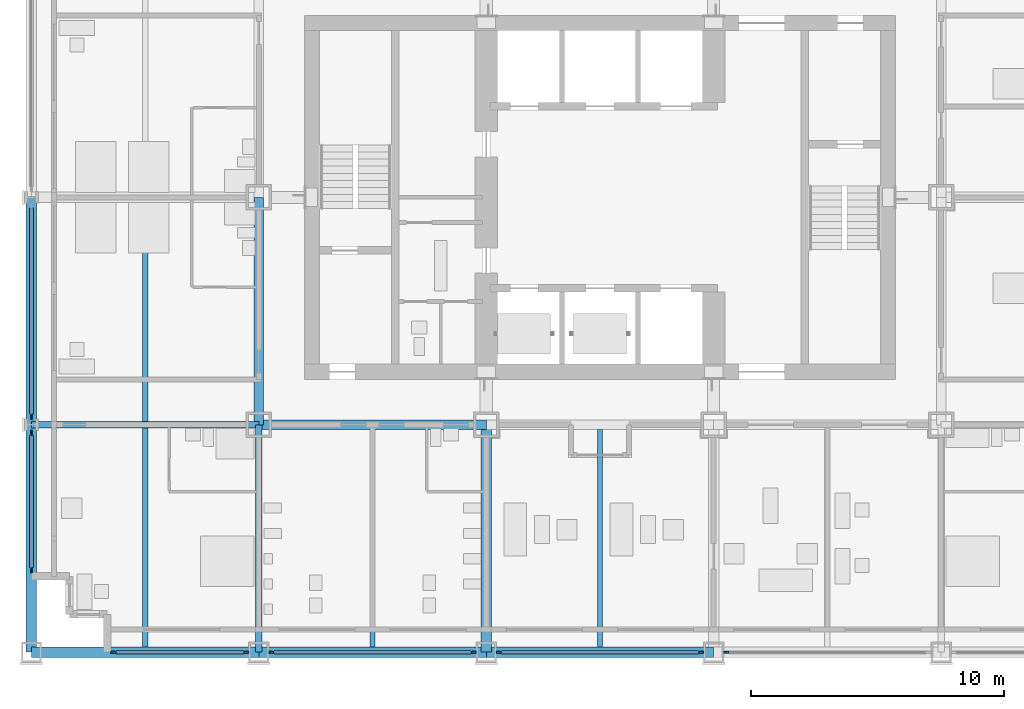
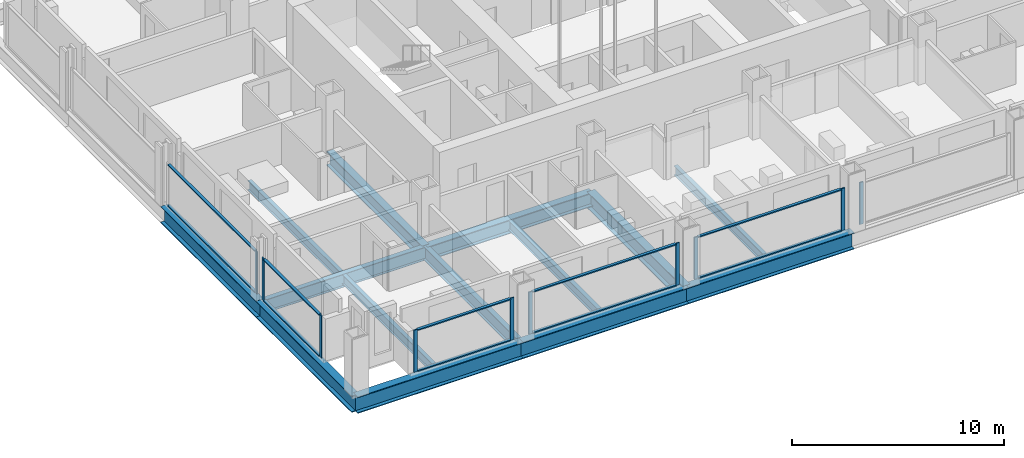
# One storey, part 2 of 19: 20 members, 14 beams, 6 elements without a shape of their own.
"""IFC4 building model written with IfcOpenShell, lengths in metres."""

from ifc_helpers import new_model, si_unit, direction, frame, origin, origin_2d, place, context, subcontext, project, spatial, rectangle, i_section, extrude, material, material_profile, profile_set, type_object, element, aggregate, save


model = new_model("IFC4")

# Units and contexts
model_context = context("Model", 3, precision=1e-05, world=origin(), true_north=direction((0.0, 1.0)))
body_context = subcontext(model_context, "Body", "Model", "MODEL_VIEW")
ifc_project = project(units=[si_unit("LENGTHUNIT", "METRE"), si_unit("AREAUNIT", "SQUARE_METRE"), si_unit("VOLUMEUNIT", "CUBIC_METRE"), si_unit("PLANEANGLEUNIT", "RADIAN"), si_unit("MASSUNIT", "GRAM", prefix="KILO")], contexts=[model_context])

# Site, building, storey
site_placement = place(None, origin())
site = spatial("IfcSite", under=ifc_project, at=site_placement, CompositionType="ELEMENT")
building_placement = place(site_placement, origin())
building = spatial("IfcBuilding", under=site, at=building_placement, Name="Loomwork Tower", CompositionType="ELEMENT")
storey_placement = place(building_placement, frame((0.0, 0.0, 94.199951171875)))
storey = spatial("IfcBuildingStorey", under=building, at=storey_placement, Name="L24", CompositionType="ELEMENT", Elevation=94.199951171875)

# Beams
ifc_material_1 = material(Name="Steel ASTM A992", Category="steel")
ifc_material_profile_1 = material_profile(ifc_material_1, i_section(OverallWidth=0.424072265625, OverallDepth=0.947509765625, WebThickness=0.02392578125, FlangeThickness=0.042724609375, at=origin_2d()), Name="W36x302")
ifc_profile_set_1 = profile_set([ifc_material_profile_1], Name="Steel ASTM A992")
beam_type_1 = type_object("IfcBeamType", Name="BELT CHORD SPANDREL W36x302", PredefinedType="SPANDREL", material=ifc_profile_set_1)
for number, where, z_axis, x_axis, name in (
    (1, (0.0, 0.0, -0.673583984375), (1.0, 0.0, 0.0), (0.0, 1.0, 0.0), "Belt Chord Spandrel D/2-D/3 L24"),
    (2, (9.0, 0.0, -0.673583984375), (1.0, 0.0, 0.0), (0.0, 1.0, 0.0), "Belt Chord Spandrel D/3-D/4 L24"),
    (3, (18.0, 0.0, -0.673583984375), (1.0, 0.0, 0.0), (0.0, 1.0, 0.0), "Belt Chord Spandrel D/4-D/5 L24"),
    (4, (0.0, 0.0, -0.673583984375), (0.0, 1.0, 0.0), (-1.0, 0.0, 0.0), "Belt Chord Spandrel D/2-E/2 L24"),
    (5, (0.0, 9.0, -0.673583984375), (0.0, 1.0, 0.0), (-1.0, 0.0, 0.0), "Belt Chord Spandrel E/2-F/2 L24"),
):
    element("IfcBeam", number, at=place(storey_placement, frame(where, z_axis=z_axis, x_axis=x_axis)), inside=storey, type_object=beam_type_1, Name=name, PredefinedType="SPANDREL", context=body_context, shape_type="SweptSolid", body=[
        extrude(i_section(OverallWidth=0.424072265625, OverallDepth=0.947509765625, WebThickness=0.02392578125, FlangeThickness=0.042724609375, at=origin_2d()), origin(), (0.0, 0.0, 1.0), 9.0),
    ])
ifc_material_2 = material(Name="Steel ASTM A992", Category="steel")
ifc_material_profile_2 = material_profile(ifc_material_2, i_section(OverallWidth=0.383544921875, OverallDepth=0.794921875, WebThickness=0.02099609375, FlangeThickness=0.0380859375, at=origin_2d()), Name="W30x235")
ifc_profile_set_2 = profile_set([ifc_material_profile_2], Name="Steel ASTM A992")
beam_type_2 = type_object("IfcBeamType", Name="CORE FLANK GIRDER W30x235", PredefinedType="BEAM", material=ifc_profile_set_2)
for number, where, z_axis, x_axis, name in (
    (6, (9.0, 9.0, -0.597412109375), (1.0, 0.0, 0.0), (0.0, 1.0, 0.0), "Core Flank Girder E/3-E/4 L24"),
    (7, (9.0, 9.0, -0.597412109375), (0.0, 1.0, 0.0), (-1.0, 0.0, 0.0), "Core Flank Girder E/3-F/3 L24"),
):
    element("IfcBeam", number, at=place(storey_placement, frame(where, z_axis=z_axis, x_axis=x_axis)), inside=storey, type_object=beam_type_2, Name=name, PredefinedType="BEAM", context=body_context, shape_type="SweptSolid", body=[
        extrude(i_section(OverallWidth=0.383544921875, OverallDepth=0.794921875, WebThickness=0.02099609375, FlangeThickness=0.0380859375, at=origin_2d()), origin(), (0.0, 0.0, 1.0), 9.0),
    ])
ifc_material_3 = material(Name="Steel ASTM A992", Category="steel")
ifc_material_profile_3 = material_profile(ifc_material_3, i_section(OverallWidth=0.2666015625, OverallDepth=0.761962890625, WebThickness=0.014404296875, FlangeThickness=0.021484375, at=origin_2d()), Name="W30x116")
ifc_profile_set_3 = profile_set([ifc_material_profile_3], Name="Steel ASTM A992")
beam_type_3 = type_object("IfcBeamType", Name="FLOOR GIRDER W30x116", PredefinedType="BEAM", material=ifc_profile_set_3)
for number, where, z_axis, x_axis, name in (
    (8, (0.0, 9.0, -0.5810546875), (1.0, 0.0, 0.0), (0.0, 1.0, 0.0), "Floor Girder E/2-E/3 L24"),
    (9, (9.0, 0.0, -0.5810546875), (0.0, 1.0, 0.0), (-1.0, 0.0, 0.0), "Floor Girder D/3-E/3 L24"),
):
    element("IfcBeam", number, at=place(storey_placement, frame(where, z_axis=z_axis, x_axis=x_axis)), inside=storey, type_object=beam_type_3, Name=name, PredefinedType="BEAM", context=body_context, shape_type="SweptSolid", body=[
        extrude(i_section(OverallWidth=0.2666015625, OverallDepth=0.761962890625, WebThickness=0.014404296875, FlangeThickness=0.021484375, at=origin_2d()), origin(), (0.0, 0.0, 1.0), 9.0),
    ])
ifc_material_4 = material(Name="Steel ASTM A992", Category="steel")
ifc_material_profile_4 = material_profile(ifc_material_4, i_section(OverallWidth=0.21240234375, OverallDepth=0.54345703125, WebThickness=0.01318359375, FlangeThickness=0.021240234375, at=origin_2d()), Name="W21x83")
ifc_profile_set_4 = profile_set([ifc_material_profile_4], Name="Steel ASTM A992")
beam_type_4 = type_object("IfcBeamType", Name="FLOOR JOIST W21x83", PredefinedType="JOIST", material=ifc_profile_set_4)
for number, where, z_axis, x_axis, name in (
    (10, (4.5, 0.2119140625, -0.4716796875), (0.0, 1.0, 0.0), (-1.0, 0.0, 0.0), "Floor Joist 4.500,0.000-4.500,9.000 L24"),
    (11, (4.5, 9.133056640625, -0.4716796875), (0.0, 1.0, 0.0), (-1.0, 0.0, 0.0), "Floor Joist 4.500,9.000-4.500,18.000 L24"),
):
    element("IfcBeam", number, at=place(storey_placement, frame(where, z_axis=z_axis, x_axis=x_axis)), inside=storey, type_object=beam_type_4, Name=name, PredefinedType="JOIST", context=body_context, shape_type="SweptSolid", body=[
        extrude(i_section(OverallWidth=0.21240234375, OverallDepth=0.54345703125, WebThickness=0.01318359375, FlangeThickness=0.021240234375, at=origin_2d()), origin(), (0.0, 0.0, 1.0), 8.655029296875),
    ])
for number, where, z_axis, x_axis, name in (
    (12, (13.5, 0.2119140625, -0.4716796875), (0.0, 1.0, 0.0), (-1.0, 0.0, 0.0), "Floor Joist 13.500,0.000-13.500,9.000 L24"),
    (13, (22.5, 0.2119140625, -0.4716796875), (0.0, 1.0, 0.0), (-1.0, 0.0, 0.0), "Floor Joist 22.500,0.000-22.500,9.000 L24"),
):
    element("IfcBeam", number, at=place(storey_placement, frame(where, z_axis=z_axis, x_axis=x_axis)), inside=storey, type_object=beam_type_4, Name=name, PredefinedType="JOIST", context=body_context, shape_type="SweptSolid", body=[
        extrude(i_section(OverallWidth=0.21240234375, OverallDepth=0.54345703125, WebThickness=0.01318359375, FlangeThickness=0.021240234375, at=origin_2d()), origin(), (0.0, 0.0, 1.0), 8.59716796875),
    ])
ifc_material_5 = material(Name="Steel ASTM A992", Category="steel")
ifc_material_profile_5 = material_profile(ifc_material_5, i_section(OverallWidth=0.424072265625, OverallDepth=0.947509765625, WebThickness=0.02392578125, FlangeThickness=0.042724609375, at=origin_2d()), Name="W36x302")
ifc_profile_set_5 = profile_set([ifc_material_profile_5], Name="Steel ASTM A992")
beam_type_5 = type_object("IfcBeamType", Name="OUTRIGGER GIRDER W36x302", PredefinedType="BEAM", material=ifc_profile_set_5)
beam_placement = place(storey_placement, frame((18.0, 0.0, -0.673583984375), z_axis=(0.0, 1.0, 0.0), x_axis=(-1.0, 0.0, 0.0)))
element("IfcBeam", 14, at=beam_placement, inside=storey, type_object=beam_type_5, Name="Outrigger Girder D/4-E/4 L24", PredefinedType="BEAM", context=body_context, shape_type="SweptSolid", body=[
    extrude(i_section(OverallWidth=0.424072265625, OverallDepth=0.947509765625, WebThickness=0.02392578125, FlangeThickness=0.042724609375, at=origin_2d()), origin(), (0.0, 0.0, 1.0), 9.0),
])

# Curtain wall, members
ifc_material_6 = material(Name="Aluminium curtain wall frame", Category="aluminium")
curtain_wall_type = type_object("IfcCurtainWallType", Name="Outer skin glazing hotel", PredefinedType="NOTDEFINED", material=ifc_material_6)
curtain_wall_1_placement = place(storey_placement, origin())
curtain_wall_1 = element("IfcCurtainWall", 15, at=curtain_wall_1_placement, inside=storey, type_object=curtain_wall_type, Name="Outer skin glazing hotel cw/S-0", PredefinedType="NOTDEFINED")
ifc_material_7 = material(Name="Aluminium curtain wall frame", Category="aluminium")
ifc_material_profile_6 = material_profile(ifc_material_7, rectangle(XDim=0.06494140625, YDim=0.199951171875, at=origin_2d()), Name="AL 65x200")
ifc_profile_set_6 = profile_set([ifc_material_profile_6], Name="Aluminium curtain wall frame")
member_type_1 = type_object("IfcMemberType", Name="Outer skin glazing hotel mullion", PredefinedType="MULLION", material=ifc_profile_set_6)
member_1_placement = place(storey_placement, frame((3.25, 0.0, 0.0), z_axis=(0.0, 0.0, 1.0), x_axis=(0.0, 1.0, 0.0)))
member_1 = element("IfcMember", 16, at=member_1_placement, type_object=member_type_1, Name="CW1 mullion 1", PredefinedType="MULLION", context=body_context, shape_type="SweptSolid", body=[
    extrude(rectangle(XDim=0.06494140625, YDim=0.199951171875, at=origin_2d()), origin(), (0.0, 0.0, 1.0), 2.420166015625),
])
member_2_placement = place(storey_placement, frame((8.5, 0.0, 0.0), z_axis=(0.0, 0.0, 1.0), x_axis=(0.0, 1.0, 0.0)))
member_2 = element("IfcMember", 17, at=member_2_placement, type_object=member_type_1, Name="CW1 mullion 2", PredefinedType="MULLION", context=body_context, shape_type="SweptSolid", body=[
    extrude(rectangle(XDim=0.06494140625, YDim=0.199951171875, at=origin_2d()), origin(), (0.0, 0.0, 1.0), 2.420166015625),
])

curtain_wall_2_placement = place(storey_placement, origin())
curtain_wall_2 = element("IfcCurtainWall", 18, at=curtain_wall_2_placement, inside=storey, type_object=curtain_wall_type, Name="Outer skin glazing hotel cw/S-9", PredefinedType="NOTDEFINED")
member_3_placement = place(storey_placement, frame((9.5, 0.0, 0.0), z_axis=(0.0, 0.0, 1.0), x_axis=(0.0, 1.0, 0.0)))
member_3 = element("IfcMember", 19, at=member_3_placement, type_object=member_type_1, Name="CW1 mullion 1", PredefinedType="MULLION", context=body_context, shape_type="SweptSolid", body=[
    extrude(rectangle(XDim=0.06494140625, YDim=0.199951171875, at=origin_2d()), origin(), (0.0, 0.0, 1.0), 2.420166015625),
])
member_4_placement = place(storey_placement, frame((17.5, 0.0, 0.0), z_axis=(0.0, 0.0, 1.0), x_axis=(0.0, 1.0, 0.0)))
member_4 = element("IfcMember", 20, at=member_4_placement, type_object=member_type_1, Name="CW1 mullion 2", PredefinedType="MULLION", context=body_context, shape_type="SweptSolid", body=[
    extrude(rectangle(XDim=0.06494140625, YDim=0.199951171875, at=origin_2d()), origin(), (0.0, 0.0, 1.0), 2.420166015625),
])

curtain_wall_3_placement = place(storey_placement, origin())
curtain_wall_3 = element("IfcCurtainWall", 21, at=curtain_wall_3_placement, inside=storey, type_object=curtain_wall_type, Name="Outer skin glazing hotel cw/S-18", PredefinedType="NOTDEFINED")
member_5_placement = place(storey_placement, frame((18.5, 0.0, 0.0), z_axis=(0.0, 0.0, 1.0), x_axis=(0.0, 1.0, 0.0)))
member_5 = element("IfcMember", 22, at=member_5_placement, type_object=member_type_1, Name="CW1 mullion 1", PredefinedType="MULLION", context=body_context, shape_type="SweptSolid", body=[
    extrude(rectangle(XDim=0.06494140625, YDim=0.199951171875, at=origin_2d()), origin(), (0.0, 0.0, 1.0), 2.420166015625),
])
member_6_placement = place(storey_placement, frame((26.5, 0.0, 0.0), z_axis=(0.0, 0.0, 1.0), x_axis=(0.0, 1.0, 0.0)))
member_6 = element("IfcMember", 23, at=member_6_placement, type_object=member_type_1, Name="CW1 mullion 2", PredefinedType="MULLION", context=body_context, shape_type="SweptSolid", body=[
    extrude(rectangle(XDim=0.06494140625, YDim=0.199951171875, at=origin_2d()), origin(), (0.0, 0.0, 1.0), 2.420166015625),
])

# Curtain wall, member
curtain_wall_4_placement = place(storey_placement, origin())
curtain_wall_4 = element("IfcCurtainWall", 24, at=curtain_wall_4_placement, inside=storey, type_object=curtain_wall_type, Name="Outer skin glazing hotel cw/S-27", PredefinedType="NOTDEFINED")
member_7_placement = place(storey_placement, frame((27.5, 0.0, 0.0), z_axis=(0.0, 0.0, 1.0), x_axis=(0.0, 1.0, 0.0)))
member_7 = element("IfcMember", 25, at=member_7_placement, type_object=member_type_1, Name="CW1 mullion 1", PredefinedType="MULLION", context=body_context, shape_type="SweptSolid", body=[
    extrude(rectangle(XDim=0.06494140625, YDim=0.199951171875, at=origin_2d()), origin(), (0.0, 0.0, 1.0), 2.420166015625),
])
aggregate(curtain_wall_4, [member_7])

# Curtain wall, members
curtain_wall_5_placement = place(storey_placement, origin())
curtain_wall_5 = element("IfcCurtainWall", 26, at=curtain_wall_5_placement, inside=storey, type_object=curtain_wall_type, Name="Outer skin glazing hotel cw/W-0", PredefinedType="NOTDEFINED")
member_8_placement = place(storey_placement, frame((0.0, 8.67529296875, 0.0), z_axis=(0.0, 0.0, 1.0), x_axis=(1.0, 0.0, 0.0)))
member_8 = element("IfcMember", 27, at=member_8_placement, type_object=member_type_1, Name="CW1 mullion 1", PredefinedType="MULLION", context=body_context, shape_type="SweptSolid", body=[
    extrude(rectangle(XDim=0.06494140625, YDim=0.199951171875, at=origin_2d()), origin(), (0.0, 0.0, 1.0), 2.420166015625),
])
member_9_placement = place(storey_placement, frame((0.0, 3.25, 0.0), z_axis=(0.0, 0.0, 1.0), x_axis=(1.0, 0.0, 0.0)))
member_9 = element("IfcMember", 28, at=member_9_placement, type_object=member_type_1, Name="CW1 mullion 2", PredefinedType="MULLION", context=body_context, shape_type="SweptSolid", body=[
    extrude(rectangle(XDim=0.06494140625, YDim=0.199951171875, at=origin_2d()), origin(), (0.0, 0.0, 1.0), 2.420166015625),
])

# Curtain wall, member
curtain_wall_6_placement = place(storey_placement, origin())
curtain_wall_6 = element("IfcCurtainWall", 29, at=curtain_wall_6_placement, inside=storey, type_object=curtain_wall_type, Name="Outer skin glazing hotel cw/W-9", PredefinedType="NOTDEFINED")
member_10_placement = place(storey_placement, frame((0.0, 9.32470703125, 0.0), z_axis=(0.0, 0.0, 1.0), x_axis=(1.0, 0.0, 0.0)))
member_10 = element("IfcMember", 30, at=member_10_placement, type_object=member_type_1, Name="CW1 mullion 2", PredefinedType="MULLION", context=body_context, shape_type="SweptSolid", body=[
    extrude(rectangle(XDim=0.06494140625, YDim=0.199951171875, at=origin_2d()), origin(), (0.0, 0.0, 1.0), 2.420166015625),
])

# Member
ifc_material_8 = material(Name="Aluminium curtain wall frame", Category="aluminium")
ifc_material_profile_7 = material_profile(ifc_material_8, rectangle(XDim=0.14990234375, YDim=0.06494140625, at=origin_2d()), Name="AL 65x150")
ifc_profile_set_7 = profile_set([ifc_material_profile_7], Name="Aluminium curtain wall frame")
member_type_2 = type_object("IfcMemberType", Name="Outer skin glazing hotel transom", PredefinedType="USERDEFINED", material=ifc_profile_set_7)
member_11_placement = place(storey_placement, frame((3.35009765625, 0.0, 0.032470703125), z_axis=(1.0, 0.0, 0.0), x_axis=(0.0, 1.0, 0.0)))
member_11 = element("IfcMember", 31, at=member_11_placement, type_object=member_type_2, Name="CW1 transom 1.1", ObjectType="TRANSOM", PredefinedType="USERDEFINED", context=body_context, shape_type="SweptSolid", body=[
    extrude(rectangle(XDim=0.14990234375, YDim=0.06494140625, at=origin_2d()), origin(), (0.0, 0.0, 1.0), 5.0498046875),
])

member_12_placement = place(storey_placement, frame((3.35009765625, 0.0, 2.3876953125), z_axis=(1.0, 0.0, 0.0), x_axis=(0.0, 1.0, 0.0)))
member_12 = element("IfcMember", 32, at=member_12_placement, type_object=member_type_2, Name="CW1 transom 1.2", ObjectType="TRANSOM", PredefinedType="USERDEFINED", context=body_context, shape_type="SweptSolid", body=[
    extrude(rectangle(XDim=0.14990234375, YDim=0.06494140625, at=origin_2d()), origin(), (0.0, 0.0, 1.0), 5.0498046875),
])

aggregate(curtain_wall_1, [member_1, member_2, member_11, member_12])

member_13_placement = place(storey_placement, frame((9.60009765625, 0.0, 0.032470703125), z_axis=(1.0, 0.0, 0.0), x_axis=(0.0, 1.0, 0.0)))
member_13 = element("IfcMember", 33, at=member_13_placement, type_object=member_type_2, Name="CW1 transom 1.1", ObjectType="TRANSOM", PredefinedType="USERDEFINED", context=body_context, shape_type="SweptSolid", body=[
    extrude(rectangle(XDim=0.14990234375, YDim=0.06494140625, at=origin_2d()), origin(), (0.0, 0.0, 1.0), 7.7998046875),
])

member_14_placement = place(storey_placement, frame((9.60009765625, 0.0, 2.3876953125), z_axis=(1.0, 0.0, 0.0), x_axis=(0.0, 1.0, 0.0)))
member_14 = element("IfcMember", 34, at=member_14_placement, type_object=member_type_2, Name="CW1 transom 1.2", ObjectType="TRANSOM", PredefinedType="USERDEFINED", context=body_context, shape_type="SweptSolid", body=[
    extrude(rectangle(XDim=0.14990234375, YDim=0.06494140625, at=origin_2d()), origin(), (0.0, 0.0, 1.0), 7.7998046875),
])

aggregate(curtain_wall_2, [member_3, member_4, member_13, member_14])

member_15_placement = place(storey_placement, frame((18.60009765625, 0.0, 0.032470703125), z_axis=(1.0, 0.0, 0.0), x_axis=(0.0, 1.0, 0.0)))
member_15 = element("IfcMember", 35, at=member_15_placement, type_object=member_type_2, Name="CW1 transom 1.1", ObjectType="TRANSOM", PredefinedType="USERDEFINED", context=body_context, shape_type="SweptSolid", body=[
    extrude(rectangle(XDim=0.14990234375, YDim=0.06494140625, at=origin_2d()), origin(), (0.0, 0.0, 1.0), 7.7998046875),
])

member_16_placement = place(storey_placement, frame((18.60009765625, 0.0, 2.3876953125), z_axis=(1.0, 0.0, 0.0), x_axis=(0.0, 1.0, 0.0)))
member_16 = element("IfcMember", 36, at=member_16_placement, type_object=member_type_2, Name="CW1 transom 1.2", ObjectType="TRANSOM", PredefinedType="USERDEFINED", context=body_context, shape_type="SweptSolid", body=[
    extrude(rectangle(XDim=0.14990234375, YDim=0.06494140625, at=origin_2d()), origin(), (0.0, 0.0, 1.0), 7.7998046875),
])

aggregate(curtain_wall_3, [member_5, member_6, member_15, member_16])

member_17_placement = place(storey_placement, frame((0.0, 8.5751953125, 0.032470703125), z_axis=(0.0, -1.0, 0.0), x_axis=(1.0, 0.0, 0.0)))
member_17 = element("IfcMember", 37, at=member_17_placement, type_object=member_type_2, Name="CW1 transom 1.1", ObjectType="TRANSOM", PredefinedType="USERDEFINED", context=body_context, shape_type="SweptSolid", body=[
    extrude(rectangle(XDim=0.14990234375, YDim=0.06494140625, at=origin_2d()), origin(), (0.0, 0.0, 1.0), 5.22509765625),
])

member_18_placement = place(storey_placement, frame((0.0, 8.5751953125, 2.3876953125), z_axis=(0.0, -1.0, 0.0), x_axis=(1.0, 0.0, 0.0)))
member_18 = element("IfcMember", 38, at=member_18_placement, type_object=member_type_2, Name="CW1 transom 1.2", ObjectType="TRANSOM", PredefinedType="USERDEFINED", context=body_context, shape_type="SweptSolid", body=[
    extrude(rectangle(XDim=0.14990234375, YDim=0.06494140625, at=origin_2d()), origin(), (0.0, 0.0, 1.0), 5.22509765625),
])

aggregate(curtain_wall_5, [member_8, member_9, member_17, member_18])

member_19_placement = place(storey_placement, frame((0.0, 17.5751953125, 0.032470703125), z_axis=(0.0, -1.0, 0.0), x_axis=(1.0, 0.0, 0.0)))
member_19 = element("IfcMember", 39, at=member_19_placement, type_object=member_type_2, Name="CW1 transom 1.1", ObjectType="TRANSOM", PredefinedType="USERDEFINED", context=body_context, shape_type="SweptSolid", body=[
    extrude(rectangle(XDim=0.14990234375, YDim=0.06494140625, at=origin_2d()), origin(), (0.0, 0.0, 1.0), 8.150390625),
])

member_20_placement = place(storey_placement, frame((0.0, 17.5751953125, 2.3876953125), z_axis=(0.0, -1.0, 0.0), x_axis=(1.0, 0.0, 0.0)))
member_20 = element("IfcMember", 40, at=member_20_placement, type_object=member_type_2, Name="CW1 transom 1.2", ObjectType="TRANSOM", PredefinedType="USERDEFINED", context=body_context, shape_type="SweptSolid", body=[
    extrude(rectangle(XDim=0.14990234375, YDim=0.06494140625, at=origin_2d()), origin(), (0.0, 0.0, 1.0), 8.150390625),
])

aggregate(curtain_wall_6, [member_10, member_19, member_20])

save(model, "model.ifc")
